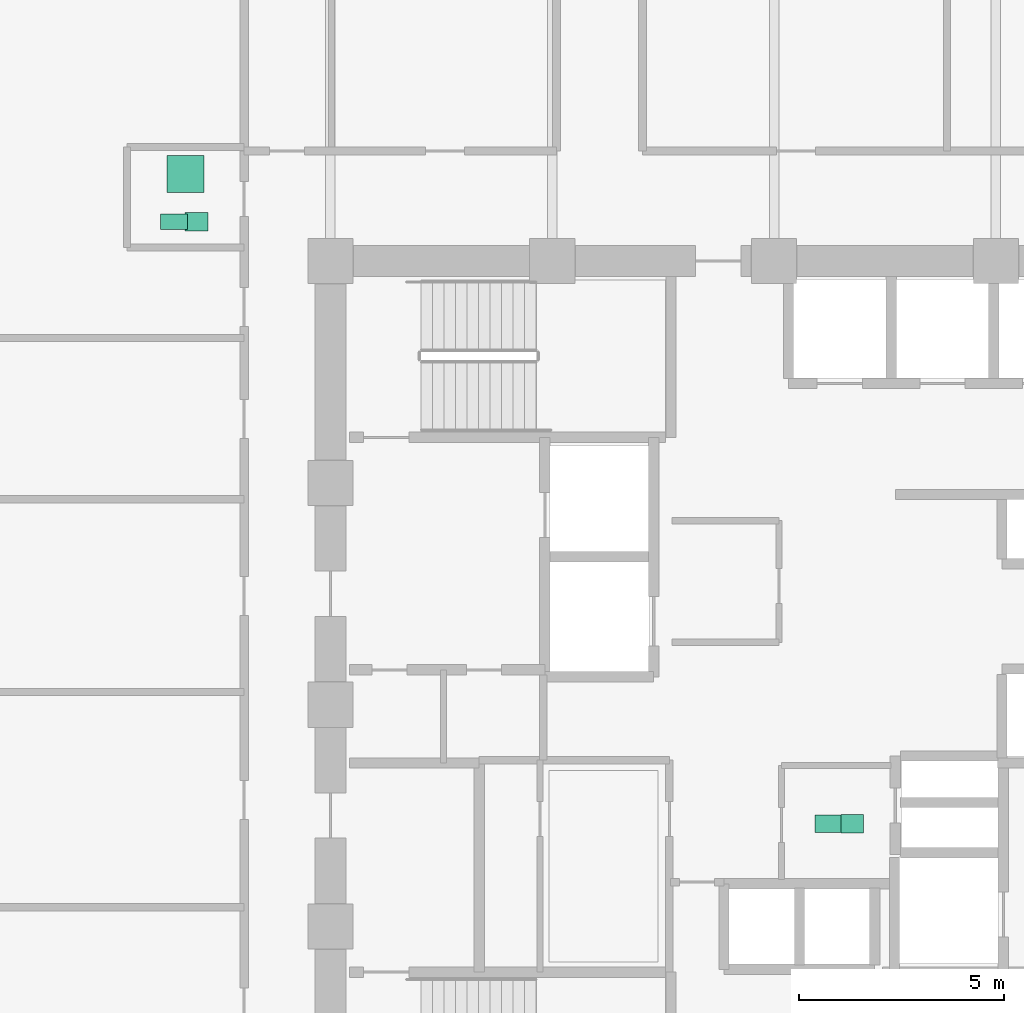
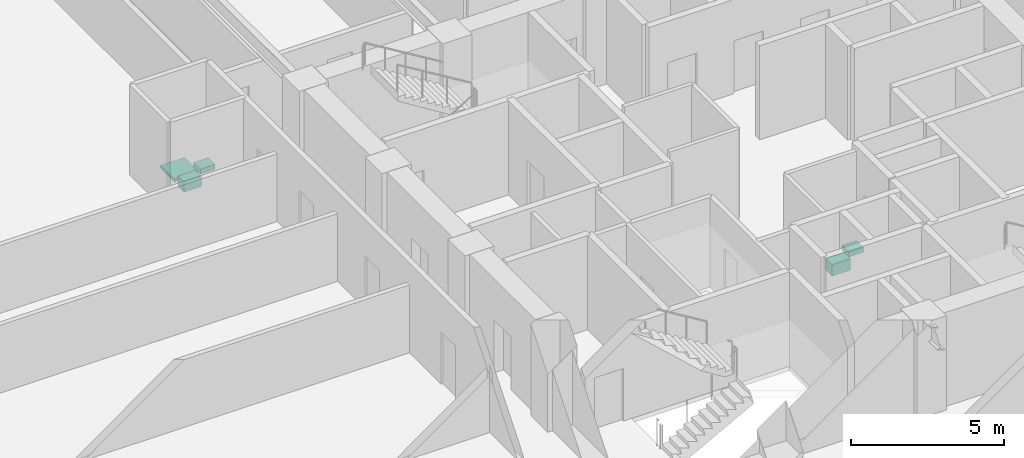
# One storey, part 25 of 25: 5 sanitary terminals.
"""IFC4 building model written with IfcOpenShell, lengths in metres."""

import ifcopenshell
import ifcopenshell.guid

model = None  # the IFC model being written
_history = None  # IfcOwnerHistory: only IFC2X3 demands one
_inside = {}  # id of a spatial element -> (the spatial element, [elements in it])
_under = {}  # id of a project, library or spatial element -> (it, [spatial elements below it])
_declared = {}  # id of a project -> (the project, [libraries it declares])
_typed = {}  # id of a type object -> (the type object, [elements of that type])
_made_of = {}  # id of a material, layer set ... -> (it, [elements and type objects made of it])


def new_model(schema):
    """Start an empty IFC model of exactly this schema.

    Asked for "IFC4X3", IfcOpenShell would pick the latest addendum, in which some entities
    have other attributes; the version numbers below select the first issue.
    IFC2X3 requires an IfcOwnerHistory on every rooted entity: one is made here for all.
    """
    global model, _history
    if schema == "IFC4X3":
        model = ifcopenshell.file(schema_version=(4, 3, 0, 0))
    else:
        model = ifcopenshell.file(schema=schema)
    _inside.clear()
    _under.clear()
    _declared.clear()
    _typed.clear()
    _made_of.clear()
    _history = None
    if model.schema == "IFC2X3":
        org = make("IfcOrganization", Name="unknown")
        user = make(
            "IfcPersonAndOrganization",
            ThePerson=make("IfcPerson", FamilyName="unknown"),
            TheOrganization=org,
        )
        app = make(
            "IfcApplication",
            ApplicationDeveloper=org,
            Version="unknown",
            ApplicationFullName="unknown",
            ApplicationIdentifier="unknown",
        )
        _history = make(
            "IfcOwnerHistory",
            OwningUser=user,
            OwningApplication=app,
            ChangeAction="ADDED",
            CreationDate=0,
        )
    return model


def make(cls, **values):
    """One entity of the class cls with the attributes given. An attribute that is None is left unset."""
    return model.create_entity(
        cls, **{name: value for name, value in values.items() if value is not None}
    )


def rooted(cls, **values):
    """An entity with a GlobalId (a new one), such as an element, a storey or a relation."""
    return make(cls, GlobalId=ifcopenshell.guid.new(), OwnerHistory=_history, **values)


def si_unit(unit_type, name, prefix=None):
    """IfcSIUnit, for example si_unit("LENGTHUNIT", "METRE", prefix="MILLI")."""
    return make("IfcSIUnit", UnitType=unit_type, Prefix=prefix, Name=name)


def assignment(units):
    """IfcUnitAssignment: the units of a project."""
    return None if units is None else make("IfcUnitAssignment", Units=units)


def point(xyz):
    """IfcCartesianPoint."""
    return None if xyz is None else make("IfcCartesianPoint", Coordinates=xyz)


def direction(xyz):
    """IfcDirection."""
    return None if xyz is None else make("IfcDirection", DirectionRatios=xyz)


def frame(location, z_axis=None, x_axis=None):
    """IfcAxis2Placement3D, a coordinate frame: its origin and axes. An axis left out is left unset."""
    return make(
        "IfcAxis2Placement3D",
        Location=point(location),
        Axis=direction(z_axis),
        RefDirection=direction(x_axis),
    )


def frame_2d(location, x_axis=None):
    """IfcAxis2Placement2D, a coordinate frame in the plane: its origin and x axis."""
    return make(
        "IfcAxis2Placement2D", Location=point(location), RefDirection=direction(x_axis)
    )


def origin():
    """The frame at (0, 0, 0) with its axes left unset."""
    return frame((0.0, 0.0, 0.0))


def origin_2d():
    """The frame at (0, 0) in the plane with its x axis left unset."""
    return frame_2d((0.0, 0.0))


def place(relative_to, where):
    """IfcLocalPlacement: puts the frame where relative to a parent placement (None: the world)."""
    return make(
        "IfcLocalPlacement", PlacementRelTo=relative_to, RelativePlacement=where
    )


def context(
    kind, dimensions, precision=None, world=None, true_north=None, identifier=None
):
    """IfcGeometricRepresentationContext, for example the 3D "Model" context."""
    return make(
        "IfcGeometricRepresentationContext",
        ContextIdentifier=identifier,
        ContextType=kind,
        CoordinateSpaceDimension=dimensions,
        Precision=precision,
        WorldCoordinateSystem=world,
        TrueNorth=true_north,
    )


def subcontext(parent, identifier, kind, view, scale=None):
    """IfcGeometricRepresentationSubContext, for example "Body" below "Model"."""
    return make(
        "IfcGeometricRepresentationSubContext",
        ContextIdentifier=identifier,
        ContextType=kind,
        ParentContext=parent,
        TargetScale=scale,
        TargetView=view,
    )


def project(units=None, contexts=None):
    """IfcProject with its units and contexts."""
    return rooted(
        "IfcProject",
        Name="project",
        RepresentationContexts=contexts,
        UnitsInContext=assignment(units),
    )


def spatial(cls, under=None, at=None, **own):
    """A site, building, storey or space (cls), placed at a placement, below another one or the project."""
    s = rooted(cls, ObjectPlacement=at, **own)
    if under is not None:
        _under.setdefault(under.id(), (under, []))[1].append(s)
    return s


def profile(cls, at=None, kind="AREA", **sizes):
    """A parametric profile (cls). Its sizes go by their IFC names, for example OverallWidth=200.0."""
    return make(cls, ProfileType=kind, Position=at, **sizes)


def rectangle(**sizes):
    """IfcRectangleProfileDef."""
    return profile("IfcRectangleProfileDef", **sizes)


def extrude(swept, where, along, depth):
    """IfcExtrudedAreaSolid: the profile swept, set in the frame where, extruded along a direction by depth."""
    return make(
        "IfcExtrudedAreaSolid",
        SweptArea=swept,
        Position=where,
        ExtrudedDirection=direction(along),
        Depth=depth,
    )


def shape(context_of_items, identifier, shape_type, items):
    """IfcShapeRepresentation: the items that make up one representation, for example the "Body"."""
    return make(
        "IfcShapeRepresentation",
        ContextOfItems=context_of_items,
        RepresentationIdentifier=identifier,
        RepresentationType=shape_type,
        Items=items,
    )


def material(Name=None, Category=None):
    """IfcMaterial."""
    return make("IfcMaterial", Name=Name, Category=Category)


def made_of(thing, what):
    """Note that an element or type object is made of a material, layer set ...; save() writes the relation."""
    if what is not None:
        _made_of.setdefault(what.id(), (what, []))[1].append(thing)
    return thing


def type_object(cls, material=None, **own):
    """A type object (cls), such as IfcWallType, which elements share."""
    return made_of(rooted(cls, **own), material)


def element(
    cls,
    number,
    at=None,
    inside=None,
    cuts=None,
    type_object=None,
    material=None,
    context=None,
    identifier="Body",
    shape_type=None,
    held_by="IfcProductDefinitionShape",
    body=None,
    shapes=None,
    **own,
):
    """One element of the class cls, such as IfcWall. Its Tag is "e" and its number.

    at: its placement. inside: the storey or other place that contains it. cuts: it is an
    opening in that element (IfcRelVoidsElement). A single representation is given by context,
    identifier, shape_type and body (its items); several are given by shapes. held_by: the class
    of the entity that holds the representations. save() writes the other relations.
    """
    e = rooted(cls, Tag="e%d" % number, ObjectPlacement=at, **own)
    if body is not None:
        shapes = [shape(context, identifier, shape_type, body)]
    if shapes is not None:
        e.Representation = make(held_by, Representations=shapes)
    if inside is not None:
        _inside.setdefault(inside.id(), (inside, []))[1].append(e)
    if cuts is not None:
        rooted(
            "IfcRelVoidsElement", RelatingBuildingElement=cuts, RelatedOpeningElement=e
        )
    if type_object is not None:
        _typed.setdefault(type_object.id(), (type_object, []))[1].append(e)
    return made_of(e, material)


def aggregate(whole, parts):
    """IfcRelAggregates: a whole, such as a stair, and the parts it consists of."""
    return rooted("IfcRelAggregates", RelatingObject=whole, RelatedObjects=parts)


def save(model, path):
    """Write the relations noted so far, then the file.

    IfcRelAggregates (storeys below a building ...), IfcRelContainedInSpatialStructure (elements
    in a storey), IfcRelDefinesByType, IfcRelAssociatesMaterial and IfcRelDeclares: one each for
    every whole, place, type object, material and project.
    """
    for whole, parts in _under.values():
        aggregate(whole, parts)
    for where, things in _inside.values():
        rooted(
            "IfcRelContainedInSpatialStructure",
            RelatedElements=things,
            RelatingStructure=where,
        )
    for kind, things in _typed.values():
        rooted("IfcRelDefinesByType", RelatedObjects=things, RelatingType=kind)
    for what, things in _made_of.values():
        rooted("IfcRelAssociatesMaterial", RelatedObjects=things, RelatingMaterial=what)
    for by, libraries in _declared.values():
        rooted("IfcRelDeclares", RelatingContext=by, RelatedDefinitions=libraries)
    model.write(path)


model = new_model("IFC4")

# Units and contexts
model_context = context("Model", 3, precision=1e-05, world=origin(), true_north=direction((0.0, 1.0)))
body_context = subcontext(model_context, "Body", "Model", "MODEL_VIEW")
ifc_project = project(units=[si_unit("LENGTHUNIT", "METRE"), si_unit("AREAUNIT", "SQUARE_METRE"), si_unit("VOLUMEUNIT", "CUBIC_METRE"), si_unit("PLANEANGLEUNIT", "RADIAN"), si_unit("MASSUNIT", "GRAM", prefix="KILO")], contexts=[model_context])

# Site, building, storey
site_placement = place(None, origin())
site = spatial("IfcSite", under=ifc_project, at=site_placement, CompositionType="ELEMENT")
building_placement = place(site_placement, origin())
building = spatial("IfcBuilding", under=site, at=building_placement, Name="Surkhivell Harbour Commons", CompositionType="ELEMENT")
storey_placement = place(building_placement, frame((0.0, 0.0, 109.5)))
storey = spatial("IfcBuildingStorey", under=building, at=storey_placement, Name="L28", CompositionType="ELEMENT", Elevation=109.5)

# Sanitary terminals
ifc_material_1 = material(Name="Vitreous china washbasin", Category="other")
sanitary_terminal_type_1 = type_object("IfcSanitaryTerminalType", Name="SAN-BSN", PredefinedType="WASHHANDBASIN", material=ifc_material_1)
for number, where, z_axis, x_axis, name in (
    (1, (1.89990234375, -2.89990234375, 0.72021484375), (0.0, 0.0, 1.0), (1.0, 0.0, 0.0), "L28 Core Accessible WC Washbasin"),
    (2, (-14.06005859375, 11.760009765625, 0.72021484375), (0.0, 0.0, 1.0), (1.0, 0.0, 0.0), "L28 West Communal Bathroom WC Washbasin"),
):
    element("IfcSanitaryTerminal", number, at=place(storey_placement, frame(where, z_axis=z_axis, x_axis=x_axis)), inside=storey, type_object=sanitary_terminal_type_1, Name=name, PredefinedType="WASHHANDBASIN", context=body_context, shape_type="SweptSolid", body=[
        extrude(rectangle(XDim=0.550048828125, YDim=0.449951171875, at=origin_2d()), origin(), (0.0, 0.0, 1.0), 0.199951171875),
    ])
ifc_material_2 = material(Name="Glazed porcelain shower tray", Category="other")
sanitary_terminal_type_2 = type_object("IfcSanitaryTerminalType", Name="SAN-SHW", PredefinedType="SHOWER", material=ifc_material_2)
sanitary_terminal_1_placement = place(storey_placement, frame((-14.330078125, 12.919921875, 0.0), z_axis=(0.0, 0.0, 1.0), x_axis=(1.0, 0.0, 0.0)))
element("IfcSanitaryTerminal", 3, at=sanitary_terminal_1_placement, inside=storey, type_object=sanitary_terminal_type_2, Name="L28 West Communal Shower Tray", PredefinedType="SHOWER", context=body_context, shape_type="SweptSolid", body=[
    extrude(rectangle(XDim=0.89990234375, YDim=0.89990234375, at=origin_2d()), origin(), (0.0, 0.0, 1.0), 0.1201171875),
])
ifc_material_3 = material(Name="Vitreous china sanitaryware", Category="other")
sanitary_terminal_type_3 = type_object("IfcSanitaryTerminalType", Name="SAN-WC-ACC", PredefinedType="TOILETPAN", material=ifc_material_3)
sanitary_terminal_2_placement = place(storey_placement, frame((1.35009765625, -2.89990234375, 0.169921875), z_axis=(0.0, 0.0, 1.0), x_axis=(1.0, 0.0, 0.0)))
element("IfcSanitaryTerminal", 4, at=sanitary_terminal_2_placement, inside=storey, type_object=sanitary_terminal_type_3, Name="L28 Core Accessible WC", PredefinedType="TOILETPAN", context=body_context, shape_type="SweptSolid", body=[
    extrude(rectangle(XDim=0.699951171875, YDim=0.419921875, at=origin_2d()), origin(), (0.0, 0.0, 1.0), 0.4599609375),
])
sanitary_terminal_type_4 = type_object("IfcSanitaryTerminalType", Name="SAN-WC-STD", PredefinedType="TOILETPAN", material=ifc_material_3)
sanitary_terminal_3_placement = place(storey_placement, frame((-14.610107421875, 11.760009765625, 0.18994140625), z_axis=(0.0, 0.0, 1.0), x_axis=(1.0, 0.0, 0.0)))
element("IfcSanitaryTerminal", 5, at=sanitary_terminal_3_placement, inside=storey, type_object=sanitary_terminal_type_4, Name="L28 West Communal Bathroom WC", PredefinedType="TOILETPAN", context=body_context, shape_type="SweptSolid", body=[
    extrude(rectangle(XDim=0.64990234375, YDim=0.3798828125, at=origin_2d()), origin(), (0.0, 0.0, 1.0), 0.419921875),
])

save(model, "model.ifc")
